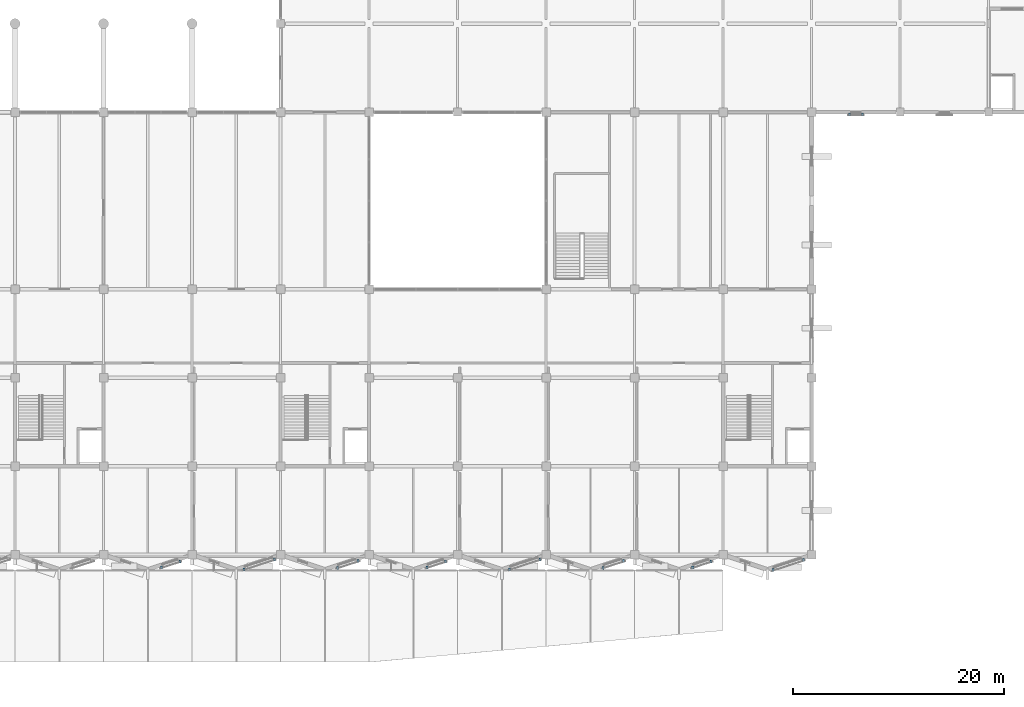
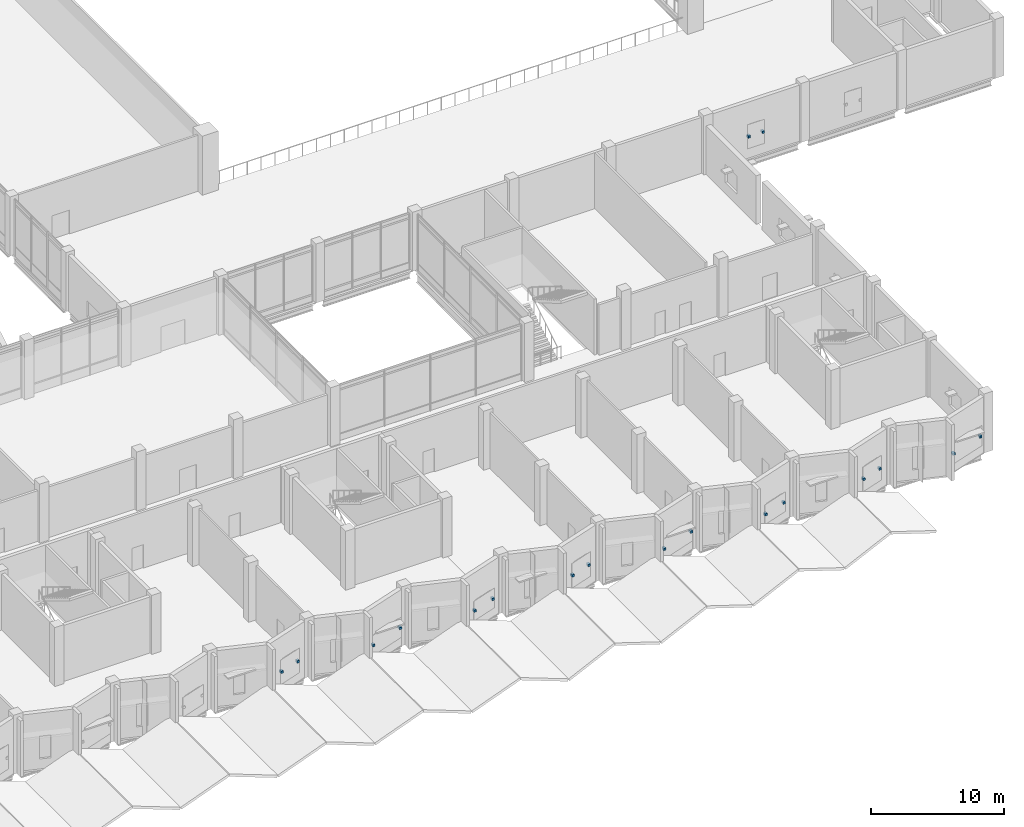
# One storey, part 66 of 72: 18 discrete accessories.
"""IFC4 building model written with IfcOpenShell, lengths in metres."""

from ifc_helpers import new_model, si_unit, direction, frame, origin, origin_2d, place, context, subcontext, project, spatial, rectangle, extrude, material, type_object, element, save


model = new_model("IFC4")

# Units and contexts
model_context = context("Model", 3, precision=1e-05, world=origin(), true_north=direction((0.0, 1.0)))
body_context = subcontext(model_context, "Body", "Model", "MODEL_VIEW")
ifc_project = project(units=[si_unit("LENGTHUNIT", "METRE"), si_unit("AREAUNIT", "SQUARE_METRE"), si_unit("VOLUMEUNIT", "CUBIC_METRE"), si_unit("PLANEANGLEUNIT", "RADIAN"), si_unit("MASSUNIT", "GRAM", prefix="KILO")], contexts=[model_context])

# Site, building, storey
site_placement = place(None, origin())
site = spatial("IfcSite", under=ifc_project, at=site_placement, CompositionType="ELEMENT")
building_placement = place(site_placement, origin())
building = spatial("IfcBuilding", under=site, at=building_placement, Name="Qawsi Khor Wholesale Market", CompositionType="ELEMENT")
storey_placement = place(building_placement, frame((0.0, 0.0, 6.0)))
storey = spatial("IfcBuildingStorey", under=building, at=storey_placement, Name="L01", CompositionType="ELEMENT", Elevation=6.0)

# Discrete accessories
ifc_material = material(Name="Steel S355", Category="steel")
discrete_accessory_type = type_object("IfcDiscreteAccessoryType", Name="Screen Fixing Bracket Steel S355", PredefinedType="BRACKET", material=ifc_material)
for number, where, z_axis, x_axis, name in (
    (1, (133.235107421875, -0.62548828125, 1.875), (0.0, 0.0, 1.0), (1.0, 0.0, 0.0), "Screen bracket 013-1"),
    (2, (131.50830078125, -1.200927734375, 1.875), (0.0, 0.0, 1.0), (1.0, 0.0, 0.0), "Screen bracket 013-2"),
    (3, (142.2041015625, -0.435791015625, 1.6748046875), (0.0, 0.0, 1.0), (1.0, 0.0, 0.0), "Screen bracket 014-1"),
    (4, (139.339111328125, -1.390869140625, 1.6748046875), (0.0, 0.0, 1.0), (1.0, 0.0, 0.0), "Screen bracket 014-2"),
    (5, (150.139404296875, -0.5908203125, 1.64990234375), (0.0, 0.0, 1.0), (1.0, 0.0, 0.0), "Screen bracket 015-1"),
    (6, (148.2041015625, -1.23583984375, 1.64990234375), (0.0, 0.0, 1.0), (1.0, 0.0, 0.0), "Screen bracket 015-2"),
    (7, (158.43505859375, -0.62548828125, 1.875), (0.0, 0.0, 1.0), (1.0, 0.0, 0.0), "Screen bracket 016-1"),
    (8, (156.70849609375, -1.200927734375, 1.875), (0.0, 0.0, 1.0), (1.0, 0.0, 0.0), "Screen bracket 016-2"),
    (9, (167.404296875, -0.435791015625, 1.6748046875), (0.0, 0.0, 1.0), (1.0, 0.0, 0.0), "Screen bracket 017-1"),
    (10, (164.539306640625, -1.390869140625, 1.6748046875), (0.0, 0.0, 1.0), (1.0, 0.0, 0.0), "Screen bracket 017-2"),
    (11, (175.33935546875, -0.5908203125, 1.64990234375), (0.0, 0.0, 1.0), (1.0, 0.0, 0.0), "Screen bracket 018-1"),
    (12, (173.404052734375, -1.23583984375, 1.64990234375), (0.0, 0.0, 1.0), (1.0, 0.0, 0.0), "Screen bracket 018-2"),
    (13, (183.635009765625, -0.62548828125, 1.875), (0.0, 0.0, 1.0), (1.0, 0.0, 0.0), "Screen bracket 019-1"),
    (14, (181.908447265625, -1.200927734375, 1.875), (0.0, 0.0, 1.0), (1.0, 0.0, 0.0), "Screen bracket 019-2"),
    (15, (192.405517578125, -0.515380859375, 1.6748046875), (0.0, 0.0, 1.0), (1.0, 0.0, 0.0), "Screen bracket 020-1"),
    (16, (189.537109375, -1.4599609375, 1.6748046875), (0.0, 0.0, 1.0), (1.0, 0.0, 0.0), "Screen bracket 020-2"),
    (17, (198.010009765625, 41.794921875, 1.9501953125), (0.0, 0.0, 1.0), (1.0, 0.0, 0.0), "Screen bracket 095-1"),
    (18, (196.7900390625, 41.794921875, 1.9501953125), (0.0, 0.0, 1.0), (1.0, 0.0, 0.0), "Screen bracket 095-2"),
):
    element("IfcDiscreteAccessory", number, at=place(storey_placement, frame(where, z_axis=z_axis, x_axis=x_axis)), inside=storey, type_object=discrete_accessory_type, Name=name, PredefinedType="BRACKET", context=body_context, shape_type="SweptSolid", body=[
        extrude(rectangle(XDim=0.199951171875, YDim=0.280029296875, at=origin_2d()), origin(), (0.0, 0.0, 1.0), 0.199951171875),
    ])

save(model, "model.ifc")
